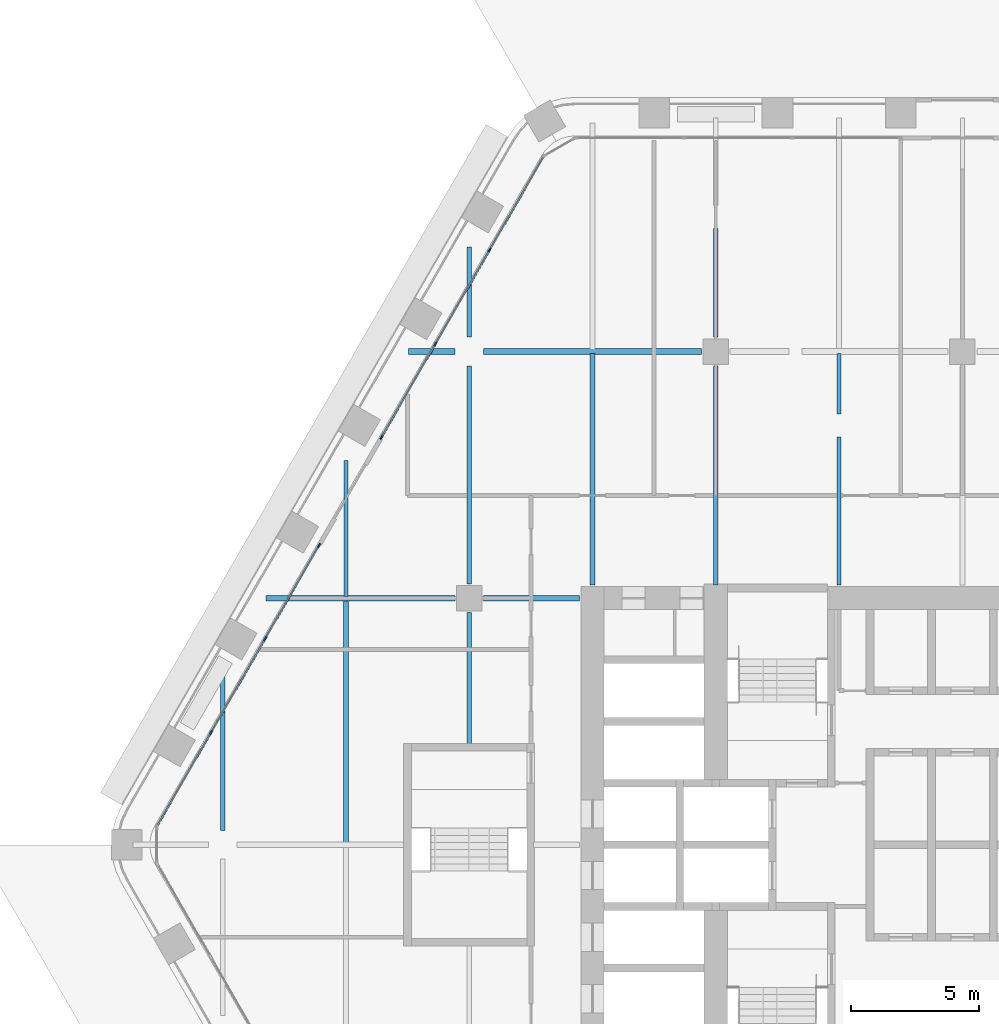
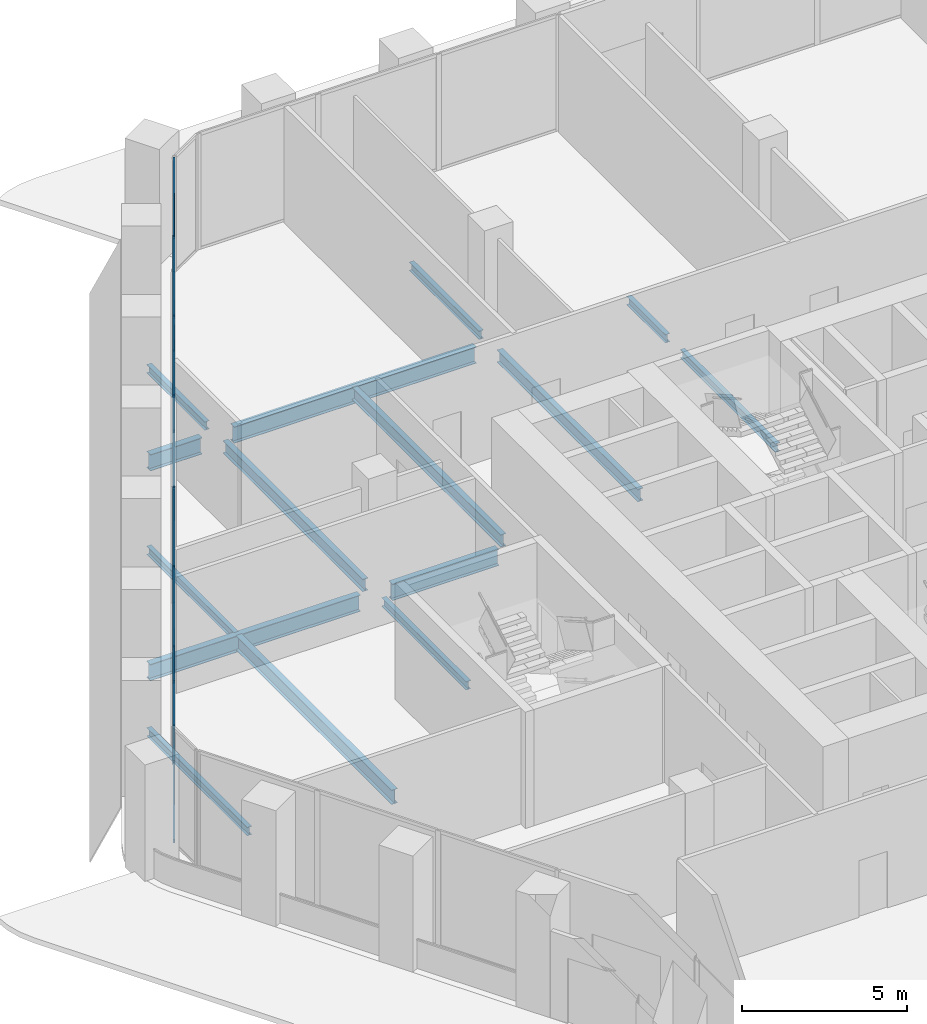
# One storey, part 6 of 23: 18 members, 15 beams, 2 elements without a shape of their own.
"""IFC4 building model written with IfcOpenShell, lengths in metres."""

from ifc_helpers import new_model, si_unit, direction, frame, origin, origin_2d, place, context, subcontext, project, spatial, rectangle, i_section, extrude, material, material_profile, profile_set, type_object, element, aggregate, save


model = new_model("IFC4")

# Units and contexts
model_context = context("Model", 3, precision=1e-05, world=origin(), true_north=direction((0.0, 1.0)))
body_context = subcontext(model_context, "Body", "Model", "MODEL_VIEW")
ifc_project = project(units=[si_unit("LENGTHUNIT", "METRE"), si_unit("AREAUNIT", "SQUARE_METRE"), si_unit("VOLUMEUNIT", "CUBIC_METRE"), si_unit("PLANEANGLEUNIT", "RADIAN"), si_unit("MASSUNIT", "GRAM", prefix="KILO")], contexts=[model_context])

# Site, building, storey
site_placement = place(None, origin())
site = spatial("IfcSite", under=ifc_project, at=site_placement, CompositionType="ELEMENT")
building_placement = place(site_placement, origin())
building = spatial("IfcBuilding", under=site, at=building_placement, Name="Kolab Exchange Tower", CompositionType="ELEMENT")
storey_placement = place(building_placement, frame((0.0, 0.0, 77.89990234375)))
storey = spatial("IfcBuildingStorey", under=building, at=storey_placement, Name="L14", CompositionType="ELEMENT", Elevation=77.89990234375)

# Beams
ifc_material_1 = material(Name="Steel S355", Category="steel")
ifc_material_profile_1 = material_profile(ifc_material_1, i_section(OverallWidth=0.1650390625, OverallDepth=0.31005859375, WebThickness=0.005859375, FlangeThickness=0.009765625, at=origin_2d()), Name="W310X39")
ifc_profile_set_1 = profile_set([ifc_material_profile_1], Name="Steel S355")
beam_type_1 = type_object("IfcBeamType", Name="FLOOR BEAM W310X39", PredefinedType="BEAM", material=ifc_profile_set_1)
beam_1_placement = place(storey_placement, frame((-28.800048828125, 0.56005859375, -0.35498046875), z_axis=(0.0, 1.0, 0.0), x_axis=(-1.0, 0.0, 0.0)))
element("IfcBeam", 1, at=beam_1_placement, inside=storey, type_object=beam_type_1, Name="beam/L14/fr/001", PredefinedType="BEAM", context=body_context, shape_type="SweptSolid", body=[
    extrude(i_section(OverallWidth=0.1650390625, OverallDepth=0.31005859375, WebThickness=0.005859375, FlangeThickness=0.009765625, at=origin_2d()), origin(), (0.0, 0.0, 1.0), 6.09375),
])
beam_2_placement = place(storey_placement, frame((-24.0, 9.674072265625, -0.35498046875), z_axis=(0.0, 1.0, 0.0), x_axis=(-1.0, 0.0, 0.0)))
element("IfcBeam", 2, at=beam_2_placement, inside=storey, type_object=beam_type_1, Name="beam/L14/fr/005", PredefinedType="BEAM", context=body_context, shape_type="SweptSolid", body=[
    extrude(i_section(OverallWidth=0.1650390625, OverallDepth=0.31005859375, WebThickness=0.005859375, FlangeThickness=0.009765625, at=origin_2d()), origin(), (0.0, 0.0, 1.0), 5.293701171875),
])
beam_3_placement = place(storey_placement, frame((-19.199951171875, 3.909912109375, -0.35498046875), z_axis=(0.0, 1.0, 0.0), x_axis=(-1.0, 0.0, 0.0)))
element("IfcBeam", 3, at=beam_3_placement, inside=storey, type_object=beam_type_1, Name="beam/L14/fr/009", PredefinedType="BEAM", context=body_context, shape_type="SweptSolid", body=[
    extrude(i_section(OverallWidth=0.1650390625, OverallDepth=0.31005859375, WebThickness=0.005859375, FlangeThickness=0.009765625, at=origin_2d()), origin(), (0.0, 0.0, 1.0), 5.130126953125),
])
beam_4_placement = place(storey_placement, frame((-19.199951171875, 19.760009765625, -0.35498046875), z_axis=(0.0, 1.0, 0.0), x_axis=(-1.0, 0.0, 0.0)))
element("IfcBeam", 4, at=beam_4_placement, inside=storey, type_object=beam_type_1, Name="beam/L14/fr/011", PredefinedType="BEAM", context=body_context, shape_type="SweptSolid", body=[
    extrude(i_section(OverallWidth=0.1650390625, OverallDepth=0.31005859375, WebThickness=0.005859375, FlangeThickness=0.009765625, at=origin_2d()), origin(), (0.0, 0.0, 1.0), 3.521484375),
])
beam_5_placement = place(storey_placement, frame((-9.60009765625, 19.760009765625, -0.35498046875), z_axis=(0.0, 1.0, 0.0), x_axis=(-1.0, 0.0, 0.0)))
element("IfcBeam", 5, at=beam_5_placement, inside=storey, type_object=beam_type_1, Name="beam/L14/fr/019", PredefinedType="BEAM", context=body_context, shape_type="SweptSolid", body=[
    extrude(i_section(OverallWidth=0.1650390625, OverallDepth=0.31005859375, WebThickness=0.005859375, FlangeThickness=0.009765625, at=origin_2d()), origin(), (0.0, 0.0, 1.0), 4.23046875),
])
beam_6_placement = place(storey_placement, frame((-4.800048828125, 10.110107421875, -0.35498046875), z_axis=(0.0, 1.0, 0.0), x_axis=(-1.0, 0.0, 0.0)))
element("IfcBeam", 6, at=beam_6_placement, inside=storey, type_object=beam_type_1, Name="beam/L14/fr/024", PredefinedType="BEAM", context=body_context, shape_type="SweptSolid", body=[
    extrude(i_section(OverallWidth=0.1650390625, OverallDepth=0.31005859375, WebThickness=0.005859375, FlangeThickness=0.009765625, at=origin_2d()), origin(), (0.0, 0.0, 1.0), 5.7666015625),
])
beam_7_placement = place(storey_placement, frame((-4.800048828125, 16.77880859375, -0.35498046875), z_axis=(0.0, 1.0, 0.0), x_axis=(-1.0, 0.0, 0.0)))
element("IfcBeam", 7, at=beam_7_placement, inside=storey, type_object=beam_type_1, Name="beam/L14/fr/025", PredefinedType="BEAM", context=body_context, shape_type="SweptSolid", body=[
    extrude(i_section(OverallWidth=0.1650390625, OverallDepth=0.31005859375, WebThickness=0.005859375, FlangeThickness=0.009765625, at=origin_2d()), origin(), (0.0, 0.0, 1.0), 2.34716796875),
])
ifc_material_profile_2 = material_profile(ifc_material_1, i_section(OverallWidth=0.18994140625, OverallDepth=0.45703125, WebThickness=0.009033203125, FlangeThickness=0.014404296875, at=origin_2d()), Name="W460X74")
ifc_profile_set_2 = profile_set([ifc_material_profile_2], Name="Steel S355")
beam_type_2 = type_object("IfcBeamType", Name="FLOOR BEAM W460X74", PredefinedType="BEAM", material=ifc_profile_set_2)
beam_8_placement = place(storey_placement, frame((-19.199951171875, 10.159912109375, -0.428466796875), z_axis=(0.0, 1.0, 0.0), x_axis=(-1.0, 0.0, 0.0)))
element("IfcBeam", 8, at=beam_8_placement, inside=storey, type_object=beam_type_2, Name="beam/L14/fr/010", PredefinedType="BEAM", context=body_context, shape_type="SweptSolid", body=[
    extrude(i_section(OverallWidth=0.18994140625, OverallDepth=0.45703125, WebThickness=0.009033203125, FlangeThickness=0.014404296875, at=origin_2d()), origin(), (0.0, 0.0, 1.0), 8.47998046875),
])
beam_9_placement = place(storey_placement, frame((-14.39990234375, 10.110107421875, -0.428466796875), z_axis=(0.0, 1.0, 0.0), x_axis=(-1.0, 0.0, 0.0)))
element("IfcBeam", 9, at=beam_9_placement, inside=storey, type_object=beam_type_2, Name="beam/L14/fr/014", PredefinedType="BEAM", context=body_context, shape_type="SweptSolid", body=[
    extrude(i_section(OverallWidth=0.18994140625, OverallDepth=0.45703125, WebThickness=0.009033203125, FlangeThickness=0.014404296875, at=origin_2d()), origin(), (0.0, 0.0, 1.0), 9.015869140625),
])
beam_10_placement = place(storey_placement, frame((-9.60009765625, 10.110107421875, -0.428466796875), z_axis=(0.0, 1.0, 0.0), x_axis=(-1.0, 0.0, 0.0)))
element("IfcBeam", 10, at=beam_10_placement, inside=storey, type_object=beam_type_2, Name="beam/L14/fr/018", PredefinedType="BEAM", context=body_context, shape_type="SweptSolid", body=[
    extrude(i_section(OverallWidth=0.18994140625, OverallDepth=0.45703125, WebThickness=0.009033203125, FlangeThickness=0.014404296875, at=origin_2d()), origin(), (0.0, 0.0, 1.0), 8.52978515625),
])
ifc_material_profile_3 = material_profile(ifc_material_1, i_section(OverallWidth=0.208984375, OverallDepth=0.532958984375, WebThickness=0.01025390625, FlangeThickness=0.015625, at=origin_2d()), Name="W530X92")
ifc_profile_set_3 = profile_set([ifc_material_profile_3], Name="Steel S355")
beam_type_3 = type_object("IfcBeamType", Name="FLOOR BEAM W530X92", PredefinedType="BEAM", material=ifc_profile_set_3)
beam_11_placement = place(storey_placement, frame((-24.0, 0.073974609375, -0.46630859375), z_axis=(0.0, 1.0, 0.0), x_axis=(-1.0, 0.0, 0.0)))
element("IfcBeam", 11, at=beam_11_placement, inside=storey, type_object=beam_type_3, Name="beam/L14/fr/004", PredefinedType="BEAM", context=body_context, shape_type="SweptSolid", body=[
    extrude(i_section(OverallWidth=0.208984375, OverallDepth=0.532958984375, WebThickness=0.01025390625, FlangeThickness=0.015625, at=origin_2d()), origin(), (0.0, 0.0, 1.0), 9.451904296875),
])
ifc_material_profile_4 = material_profile(ifc_material_1, i_section(OverallWidth=0.22802734375, OverallDepth=0.60791015625, WebThickness=0.01123046875, FlangeThickness=0.017333984375, at=origin_2d()), Name="W610X113")
ifc_profile_set_4 = profile_set([ifc_material_profile_4], Name="Steel S355")
beam_type_4 = type_object("IfcBeamType", Name="FLOOR GIRDER W610X113", PredefinedType="BEAM", material=ifc_profile_set_4)
beam_12_placement = place(storey_placement, frame((-27.115966796875, 9.60009765625, -0.50390625), z_axis=(1.0, 0.0, 0.0), x_axis=(0.0, 1.0, 0.0)))
element("IfcBeam", 12, at=beam_12_placement, inside=storey, type_object=beam_type_4, Name="beam/L14/gd/003", PredefinedType="BEAM", context=body_context, shape_type="SweptSolid", body=[
    extrude(i_section(OverallWidth=0.22802734375, OverallDepth=0.60791015625, WebThickness=0.01123046875, FlangeThickness=0.017333984375, at=origin_2d()), origin(), (0.0, 0.0, 1.0), 7.35595703125),
])
beam_13_placement = place(storey_placement, frame((-21.573486328125, 19.199951171875, -0.50390625), z_axis=(1.0, 0.0, 0.0), x_axis=(0.0, 1.0, 0.0)))
element("IfcBeam", 13, at=beam_13_placement, inside=storey, type_object=beam_type_4, Name="beam/L14/gd/005", PredefinedType="BEAM", context=body_context, shape_type="SweptSolid", body=[
    extrude(i_section(OverallWidth=0.22802734375, OverallDepth=0.60791015625, WebThickness=0.01123046875, FlangeThickness=0.017333984375, at=origin_2d()), origin(), (0.0, 0.0, 1.0), 1.8134765625),
])
beam_14_placement = place(storey_placement, frame((-18.639892578125, 9.60009765625, -0.50390625), z_axis=(1.0, 0.0, 0.0), x_axis=(0.0, 1.0, 0.0)))
element("IfcBeam", 14, at=beam_14_placement, inside=storey, type_object=beam_type_4, Name="beam/L14/gd/008", PredefinedType="BEAM", context=body_context, shape_type="SweptSolid", body=[
    extrude(i_section(OverallWidth=0.22802734375, OverallDepth=0.60791015625, WebThickness=0.01123046875, FlangeThickness=0.017333984375, at=origin_2d()), origin(), (0.0, 0.0, 1.0), 3.72998046875),
])
beam_15_placement = place(storey_placement, frame((-18.639892578125, 19.199951171875, -0.50390625), z_axis=(1.0, 0.0, 0.0), x_axis=(0.0, 1.0, 0.0)))
element("IfcBeam", 15, at=beam_15_placement, inside=storey, type_object=beam_type_4, Name="beam/L14/gd/009", PredefinedType="BEAM", context=body_context, shape_type="SweptSolid", body=[
    extrude(i_section(OverallWidth=0.22802734375, OverallDepth=0.60791015625, WebThickness=0.01123046875, FlangeThickness=0.017333984375, at=origin_2d()), origin(), (0.0, 0.0, 1.0), 8.47998046875),
])

# Curtain wall, members
ifc_material_2 = material(Name="Aluminium EN AW-6063 T6", Category="aluminium")
curtain_wall_type = type_object("IfcCurtainWallType", Name="UNITISED LOWER MID ZONE CURTAIN WALL", PredefinedType="NOTDEFINED", material=ifc_material_2)
curtain_wall_1_placement = place(storey_placement, origin())
curtain_wall_1 = element("IfcCurtainWall", 16, at=curtain_wall_1_placement, inside=storey, type_object=curtain_wall_type, Name="cw/L14/F6-1", PredefinedType="NOTDEFINED")
ifc_material_profile_5 = material_profile(ifc_material_2, rectangle(XDim=0.06005859375, YDim=0.179931640625, at=origin_2d()), Name="RECT 60X180")
ifc_profile_set_5 = profile_set([ifc_material_profile_5], Name="Aluminium EN AW-6063 T6")
member_type_1 = type_object("IfcMemberType", Name="UNITISED LOWER MID ZONE MULLION 60 X 180", PredefinedType="MULLION", material=ifc_profile_set_5)
member_1_placement = place(storey_placement, frame((-29.25439453125, 4.366943359375, 0.0), z_axis=(0.0, 0.0, 1.0), x_axis=(-0.866025427826, 0.499999958358, 0.0)))
member_1 = element("IfcMember", 17, at=member_1_placement, type_object=member_type_1, Name="CW2 mullion 2", PredefinedType="MULLION", context=body_context, shape_type="SweptSolid", body=[
    extrude(rectangle(XDim=0.06005859375, YDim=0.179931640625, at=origin_2d()), origin(), (0.0, 0.0, 1.0), 4.300048828125),
])
member_2_placement = place(storey_placement, frame((-27.14306640625, 8.02392578125, 0.0), z_axis=(0.0, 0.0, 1.0), x_axis=(-0.866025427826, 0.499999958358, 0.0)))
member_2 = element("IfcMember", 18, at=member_2_placement, type_object=member_type_1, Name="CW2 mullion 3", PredefinedType="MULLION", context=body_context, shape_type="SweptSolid", body=[
    extrude(rectangle(XDim=0.06005859375, YDim=0.179931640625, at=origin_2d()), origin(), (0.0, 0.0, 1.0), 4.300048828125),
])
member_3_placement = place(storey_placement, frame((-25.046630859375, 11.65478515625, 0.0), z_axis=(0.0, 0.0, 1.0), x_axis=(-0.866025427826, 0.499999958358, 0.0)))
member_3 = element("IfcMember", 19, at=member_3_placement, type_object=member_type_1, Name="CW2 mullion 4", PredefinedType="MULLION", context=body_context, shape_type="SweptSolid", body=[
    extrude(rectangle(XDim=0.06005859375, YDim=0.179931640625, at=origin_2d()), origin(), (0.0, 0.0, 1.0), 4.300048828125),
])

curtain_wall_2_placement = place(storey_placement, origin())
curtain_wall_2 = element("IfcCurtainWall", 20, at=curtain_wall_2_placement, inside=storey, type_object=curtain_wall_type, Name="cw/L14/F6-2", PredefinedType="NOTDEFINED")
member_4_placement = place(storey_placement, frame((-22.61669921875, 15.86376953125, 0.0), z_axis=(0.0, 0.0, 1.0), x_axis=(-0.866025393644, 0.500000017564, 0.0)))
member_4 = element("IfcMember", 21, at=member_4_placement, type_object=member_type_1, Name="CW2 mullion 1", PredefinedType="MULLION", context=body_context, shape_type="SweptSolid", body=[
    extrude(rectangle(XDim=0.06005859375, YDim=0.179931640625, at=origin_2d()), origin(), (0.0, 0.0, 1.0), 4.300048828125),
])
member_5_placement = place(storey_placement, frame((-20.520263671875, 19.49462890625, 0.0), z_axis=(0.0, 0.0, 1.0), x_axis=(-0.866025393644, 0.500000017564, 0.0)))
member_5 = element("IfcMember", 22, at=member_5_placement, type_object=member_type_1, Name="CW2 mullion 2", PredefinedType="MULLION", context=body_context, shape_type="SweptSolid", body=[
    extrude(rectangle(XDim=0.06005859375, YDim=0.179931640625, at=origin_2d()), origin(), (0.0, 0.0, 1.0), 4.300048828125),
])
member_6_placement = place(storey_placement, frame((-18.408935546875, 23.151611328125, 0.0), z_axis=(0.0, 0.0, 1.0), x_axis=(-0.866025393644, 0.500000017564, 0.0)))
member_6 = element("IfcMember", 23, at=member_6_placement, type_object=member_type_1, Name="CW2 mullion 3", PredefinedType="MULLION", context=body_context, shape_type="SweptSolid", body=[
    extrude(rectangle(XDim=0.06005859375, YDim=0.179931640625, at=origin_2d()), origin(), (0.0, 0.0, 1.0), 4.300048828125),
])

# Member
ifc_material_profile_6 = material_profile(ifc_material_2, rectangle(XDim=0.06005859375, YDim=0.1201171875, at=origin_2d()), Name="RECT 60X120")
ifc_profile_set_6 = profile_set([ifc_material_profile_6], Name="Aluminium EN AW-6063 T6")
member_type_2 = type_object("IfcMemberType", Name="UNITISED LOWER MID ZONE TRANSOM 60 X 120", PredefinedType="USERDEFINED", material=ifc_profile_set_6)
member_7_placement = place(storey_placement, frame((-31.335693359375, 0.761962890625, 0.030029296875), z_axis=(0.500027577057, 0.866009481578, 0.0), x_axis=(-0.866009481578, 0.500027577057, 0.0)))
member_7 = element("IfcMember", 24, at=member_7_placement, type_object=member_type_2, Name="CW2 transom 1.1", ObjectType="TRANSOM", PredefinedType="USERDEFINED", context=body_context, shape_type="SweptSolid", body=[
    extrude(rectangle(XDim=0.06005859375, YDim=0.1201171875, at=origin_2d()), origin(), (0.0, 0.0, 1.0), 4.132568359375),
])

member_8_placement = place(storey_placement, frame((-31.335693359375, 0.761962890625, 4.27001953125), z_axis=(0.500027577057, 0.866009481578, 0.0), x_axis=(-0.866009481578, 0.500027577057, 0.0)))
member_8 = element("IfcMember", 25, at=member_8_placement, type_object=member_type_2, Name="CW2 transom 1.2", ObjectType="TRANSOM", PredefinedType="USERDEFINED", context=body_context, shape_type="SweptSolid", body=[
    extrude(rectangle(XDim=0.06005859375, YDim=0.1201171875, at=origin_2d()), origin(), (0.0, 0.0, 1.0), 4.132568359375),
])

member_9_placement = place(storey_placement, frame((-29.2392578125, 4.392822265625, 0.030029296875), z_axis=(0.49999322259, 0.866029316688, 0.0), x_axis=(-0.866029316688, 0.49999322259, 0.0)))
member_9 = element("IfcMember", 26, at=member_9_placement, type_object=member_type_2, Name="CW2 transom 2.1", ObjectType="TRANSOM", PredefinedType="USERDEFINED", context=body_context, shape_type="SweptSolid", body=[
    extrude(rectangle(XDim=0.06005859375, YDim=0.1201171875, at=origin_2d()), origin(), (0.0, 0.0, 1.0), 4.16259765625),
])

member_10_placement = place(storey_placement, frame((-29.2392578125, 4.392822265625, 4.27001953125), z_axis=(0.49999322259, 0.866029316688, 0.0), x_axis=(-0.866029316688, 0.49999322259, 0.0)))
member_10 = element("IfcMember", 27, at=member_10_placement, type_object=member_type_2, Name="CW2 transom 2.2", ObjectType="TRANSOM", PredefinedType="USERDEFINED", context=body_context, shape_type="SweptSolid", body=[
    extrude(rectangle(XDim=0.06005859375, YDim=0.1201171875, at=origin_2d()), origin(), (0.0, 0.0, 1.0), 4.16259765625),
])

member_11_placement = place(storey_placement, frame((-27.1279296875, 8.0498046875, 0.030029296875), z_axis=(0.499957688808, 0.866049830784, 0.0), x_axis=(-0.866049830784, 0.499957688808, 0.0)))
member_11 = element("IfcMember", 28, at=member_11_placement, type_object=member_type_2, Name="CW2 transom 3.1", ObjectType="TRANSOM", PredefinedType="USERDEFINED", context=body_context, shape_type="SweptSolid", body=[
    extrude(rectangle(XDim=0.06005859375, YDim=0.1201171875, at=origin_2d()), origin(), (0.0, 0.0, 1.0), 4.132568359375),
])

member_12_placement = place(storey_placement, frame((-27.1279296875, 8.0498046875, 4.27001953125), z_axis=(0.499957688808, 0.866049830784, 0.0), x_axis=(-0.866049830784, 0.499957688808, 0.0)))
member_12 = element("IfcMember", 29, at=member_12_placement, type_object=member_type_2, Name="CW2 transom 3.2", ObjectType="TRANSOM", PredefinedType="USERDEFINED", context=body_context, shape_type="SweptSolid", body=[
    extrude(rectangle(XDim=0.06005859375, YDim=0.1201171875, at=origin_2d()), origin(), (0.0, 0.0, 1.0), 4.132568359375),
])

aggregate(curtain_wall_1, [member_1, member_2, member_3, member_7, member_8, member_9, member_10, member_11, member_12])

member_13_placement = place(storey_placement, frame((-22.6015625, 15.8896484375, 0.030029296875), z_axis=(0.499957688808, 0.866049830784, 0.0), x_axis=(-0.866049830784, 0.499957688808, 0.0)))
member_13 = element("IfcMember", 30, at=member_13_placement, type_object=member_type_2, Name="CW2 transom 1.1", ObjectType="TRANSOM", PredefinedType="USERDEFINED", context=body_context, shape_type="SweptSolid", body=[
    extrude(rectangle(XDim=0.06005859375, YDim=0.1201171875, at=origin_2d()), origin(), (0.0, 0.0, 1.0), 4.132568359375),
])

member_14_placement = place(storey_placement, frame((-22.6015625, 15.8896484375, 4.27001953125), z_axis=(0.499957688808, 0.866049830784, 0.0), x_axis=(-0.866049830784, 0.499957688808, 0.0)))
member_14 = element("IfcMember", 31, at=member_14_placement, type_object=member_type_2, Name="CW2 transom 1.2", ObjectType="TRANSOM", PredefinedType="USERDEFINED", context=body_context, shape_type="SweptSolid", body=[
    extrude(rectangle(XDim=0.06005859375, YDim=0.1201171875, at=origin_2d()), origin(), (0.0, 0.0, 1.0), 4.132568359375),
])

member_15_placement = place(storey_placement, frame((-20.50537109375, 19.5205078125, 0.030029296875), z_axis=(0.49999322259, 0.866029316688, 0.0), x_axis=(-0.866029316688, 0.49999322259, 0.0)))
member_15 = element("IfcMember", 32, at=member_15_placement, type_object=member_type_2, Name="CW2 transom 2.1", ObjectType="TRANSOM", PredefinedType="USERDEFINED", context=body_context, shape_type="SweptSolid", body=[
    extrude(rectangle(XDim=0.06005859375, YDim=0.1201171875, at=origin_2d()), origin(), (0.0, 0.0, 1.0), 4.16259765625),
])

member_16_placement = place(storey_placement, frame((-20.50537109375, 19.5205078125, 4.27001953125), z_axis=(0.49999322259, 0.866029316688, 0.0), x_axis=(-0.866029316688, 0.49999322259, 0.0)))
member_16 = element("IfcMember", 33, at=member_16_placement, type_object=member_type_2, Name="CW2 transom 2.2", ObjectType="TRANSOM", PredefinedType="USERDEFINED", context=body_context, shape_type="SweptSolid", body=[
    extrude(rectangle(XDim=0.06005859375, YDim=0.1201171875, at=origin_2d()), origin(), (0.0, 0.0, 1.0), 4.16259765625),
])

member_17_placement = place(storey_placement, frame((-18.39404296875, 23.177490234375, 0.030029296875), z_axis=(0.500001996123, 0.866024251319, 0.0), x_axis=(-0.866024251319, 0.500001996123, 0.0)))
member_17 = element("IfcMember", 34, at=member_17_placement, type_object=member_type_2, Name="CW2 transom 3.1", ObjectType="TRANSOM", PredefinedType="USERDEFINED", context=body_context, shape_type="SweptSolid", body=[
    extrude(rectangle(XDim=0.06005859375, YDim=0.1201171875, at=origin_2d()), origin(), (0.0, 0.0, 1.0), 4.1328125),
])

member_18_placement = place(storey_placement, frame((-18.39404296875, 23.177490234375, 4.27001953125), z_axis=(0.500001996123, 0.866024251319, 0.0), x_axis=(-0.866024251319, 0.500001996123, 0.0)))
member_18 = element("IfcMember", 35, at=member_18_placement, type_object=member_type_2, Name="CW2 transom 3.2", ObjectType="TRANSOM", PredefinedType="USERDEFINED", context=body_context, shape_type="SweptSolid", body=[
    extrude(rectangle(XDim=0.06005859375, YDim=0.1201171875, at=origin_2d()), origin(), (0.0, 0.0, 1.0), 4.1328125),
])

aggregate(curtain_wall_2, [member_4, member_5, member_6, member_13, member_14, member_15, member_16, member_17, member_18])

save(model, "model.ifc")
